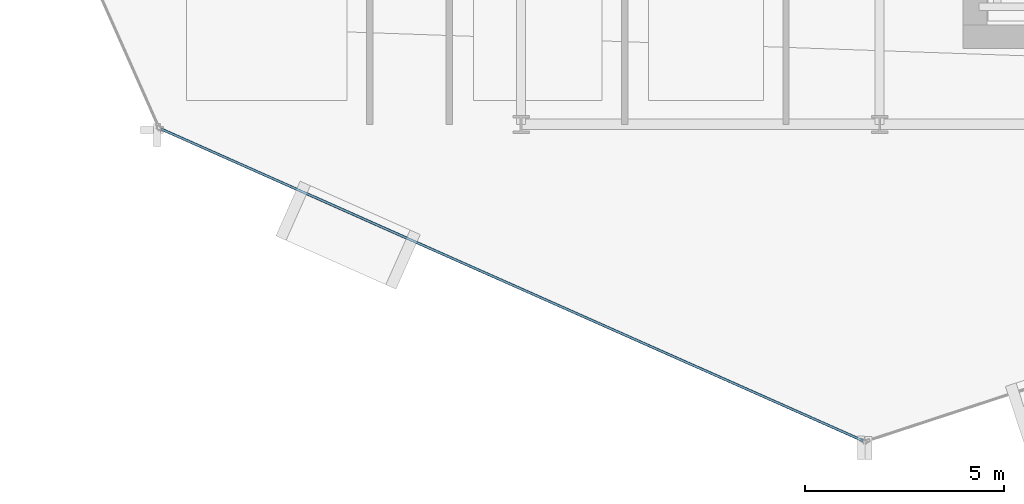
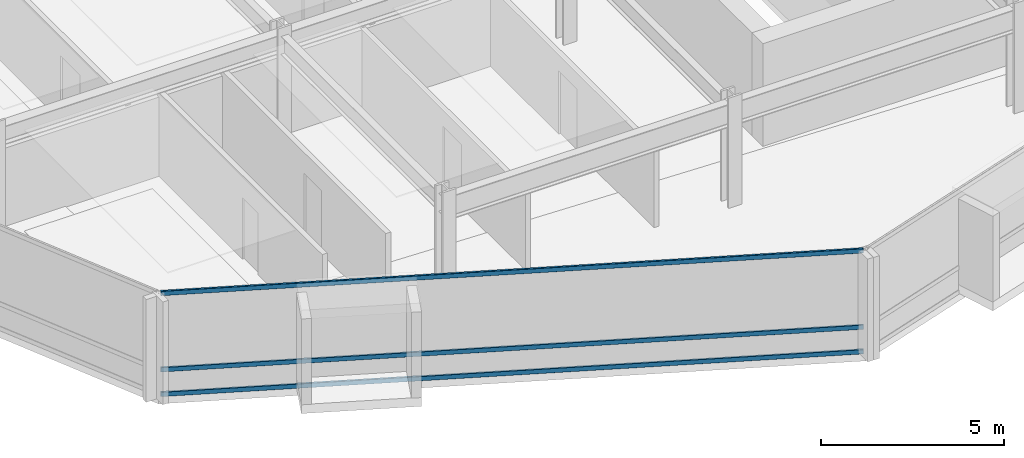
# One storey, part 3 of 29: 3 members, 1 element without a shape of its own.
"""IFC4 building model written with IfcOpenShell, lengths in metres."""

from ifc_helpers import new_model, si_unit, direction, frame, origin, origin_2d, place, context, subcontext, project, spatial, hollow_rectangle, extrude, material, layer, layer_set, material_profile, profile_set, type_object, element, aggregate, save


model = new_model("IFC4")

# Units and contexts
model_context = context("Model", 3, precision=1e-05, world=origin(), true_north=direction((0.0, 1.0)))
body_context = subcontext(model_context, "Body", "Model", "MODEL_VIEW")
ifc_project = project(units=[si_unit("LENGTHUNIT", "METRE"), si_unit("AREAUNIT", "SQUARE_METRE"), si_unit("VOLUMEUNIT", "CUBIC_METRE"), si_unit("PLANEANGLEUNIT", "RADIAN"), si_unit("MASSUNIT", "GRAM", prefix="KILO")], contexts=[model_context])

# Site, building, storey
site_placement = place(None, origin())
site = spatial("IfcSite", under=ifc_project, at=site_placement, CompositionType="ELEMENT")
building_placement = place(site_placement, origin())
building = spatial("IfcBuilding", under=site, at=building_placement, Name="Solvaryn Broadcast Tower", CompositionType="ELEMENT")
storey_placement = place(building_placement, frame((0.0, 0.0, 121.10009765625)))
storey = spatial("IfcBuildingStorey", under=building, at=storey_placement, Name="L29", CompositionType="ELEMENT", Elevation=121.10009765625)

# Curtain wall, members
ifc_material_1 = material(Name="Aluminium and Terracotta Unitised Curtain Wall", Category="masonry")
ifc_layer = layer(ifc_material_1, 0.199951171875)
ifc_layer_set = layer_set([ifc_layer], Name="CW-SYS2-LOWMID")
curtain_wall_type = type_object("IfcCurtainWallType", Name="CW-SYS2-LOWMID", PredefinedType="NOTDEFINED", material=ifc_layer_set)
curtain_wall_placement = place(storey_placement, origin())
curtain_wall = element("IfcCurtainWall", 1, at=curtain_wall_placement, inside=storey, type_object=curtain_wall_type, Name="L29 Curtain Wall DR3", PredefinedType="NOTDEFINED")
ifc_material_2 = material(Name="Anodised Aluminium 6063-T6", Category="aluminium")
ifc_material_profile = material_profile(ifc_material_2, hollow_rectangle(XDim=0.06494140625, YDim=0.14990234375, WallThickness=0.00390625, InnerFilletRadius=0.00390625, OuterFilletRadius=0.008056640625, at=origin_2d()))
ifc_profile_set = profile_set([ifc_material_profile], Name="Anodised Aluminium 6063-T6")
member_type = type_object("IfcMemberType", Name="CW-TRN-150", PredefinedType="USERDEFINED", material=ifc_profile_set)
member_1_placement = place(storey_placement, frame((8.962890625, 8.883544921875, 0.02978515625), z_axis=(0.913909703223, -0.405917546252, 0.0), x_axis=(0.405917546252, 0.913909703223, 0.0)))
member_1 = element("IfcMember", 2, at=member_1_placement, type_object=member_type, Name="CWS2 transom 1.1", ObjectType="TRANSOM", PredefinedType="USERDEFINED", context=body_context, shape_type="SweptSolid", body=[
    extrude(hollow_rectangle(XDim=0.06494140625, YDim=0.14990234375, WallThickness=0.00390625, InnerFilletRadius=0.00390625, OuterFilletRadius=0.008056640625, at=origin_2d()), origin(), (0.0, 0.0, 1.0), 19.27783203125),
])
member_2_placement = place(storey_placement, frame((8.962890625, 8.883544921875, 0.849853515625), z_axis=(0.913909703223, -0.405917546252, 0.0), x_axis=(0.405917546252, 0.913909703223, 0.0)))
member_2 = element("IfcMember", 3, at=member_2_placement, type_object=member_type, Name="CWS2 transom 1.2", ObjectType="TRANSOM", PredefinedType="USERDEFINED", context=body_context, shape_type="SweptSolid", body=[
    extrude(hollow_rectangle(XDim=0.06494140625, YDim=0.14990234375, WallThickness=0.00390625, InnerFilletRadius=0.00390625, OuterFilletRadius=0.008056640625, at=origin_2d()), origin(), (0.0, 0.0, 1.0), 19.27783203125),
])
member_3_placement = place(storey_placement, frame((8.962890625, 8.883544921875, 3.389892578125), z_axis=(0.913909703223, -0.405917546252, 0.0), x_axis=(0.405917546252, 0.913909703223, 0.0)))
member_3 = element("IfcMember", 4, at=member_3_placement, type_object=member_type, Name="CWS2 transom 1.3", ObjectType="TRANSOM", PredefinedType="USERDEFINED", context=body_context, shape_type="SweptSolid", body=[
    extrude(hollow_rectangle(XDim=0.06494140625, YDim=0.14990234375, WallThickness=0.00390625, InnerFilletRadius=0.00390625, OuterFilletRadius=0.008056640625, at=origin_2d()), origin(), (0.0, 0.0, 1.0), 19.27783203125),
])
aggregate(curtain_wall, [member_1, member_2, member_3])

save(model, "model.ifc")
